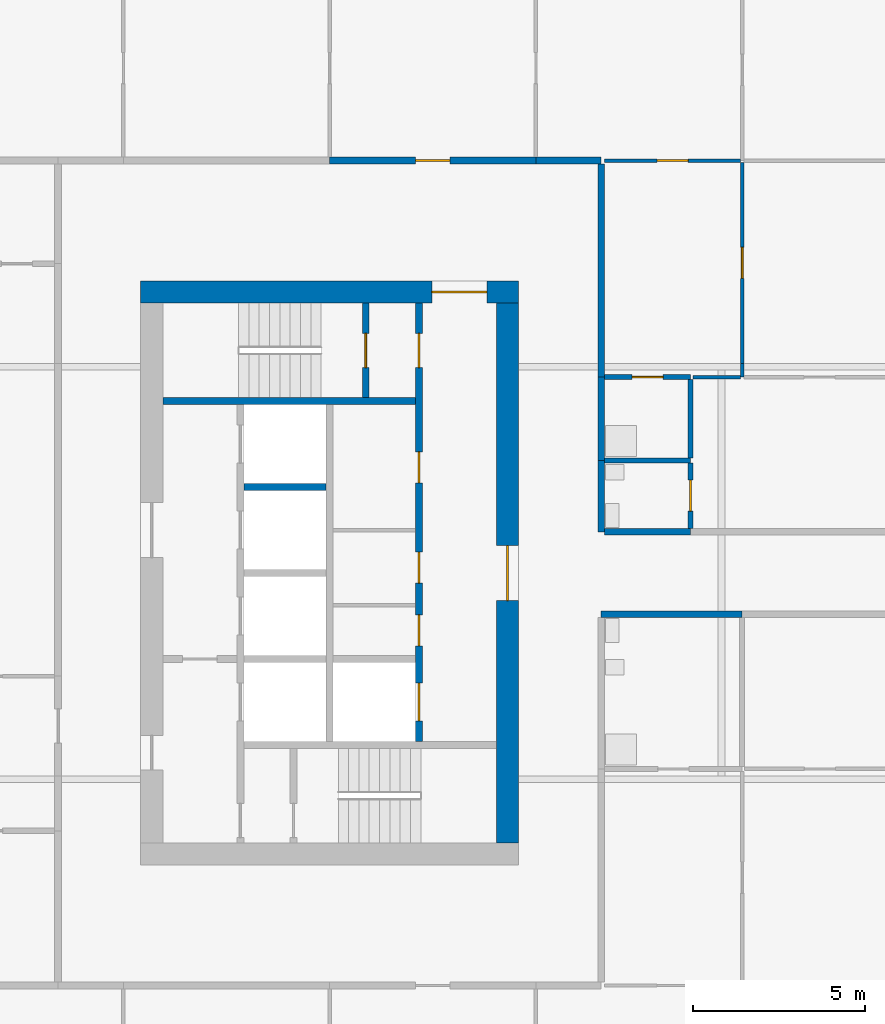
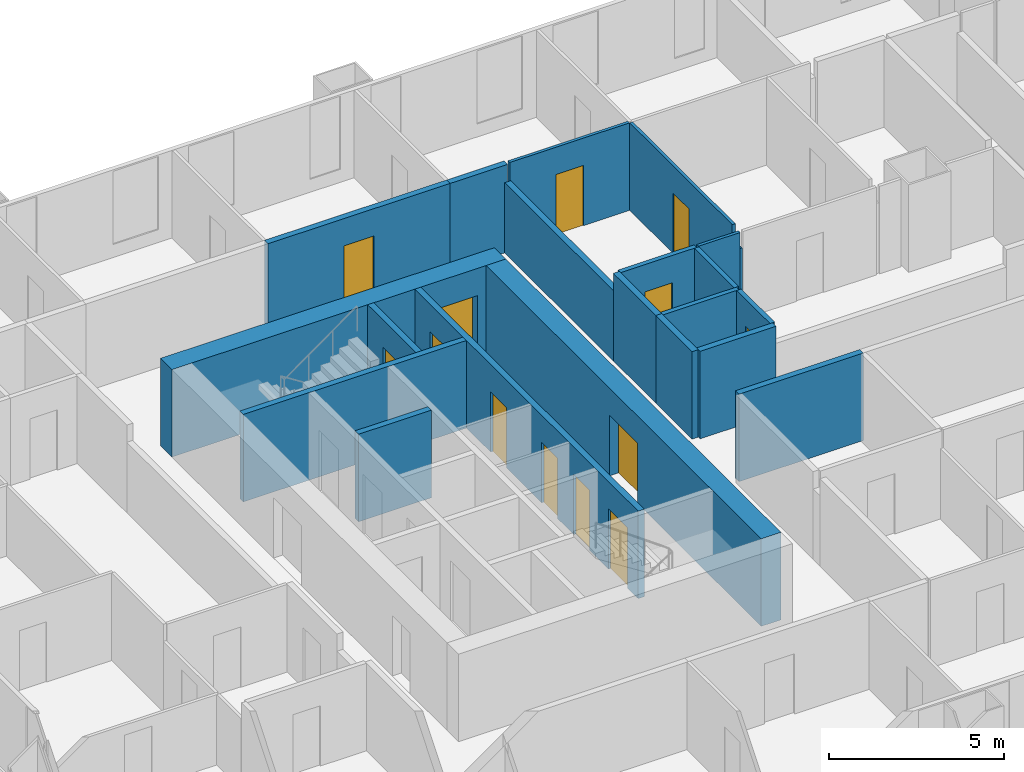
# One storey, part 4 of 12: 21 walls, 13 doors, 13 openings.
"""IFC4 building model written with IfcOpenShell, lengths in metres."""

import ifcopenshell
import ifcopenshell.guid

model = None  # the IFC model being written
_history = None  # IfcOwnerHistory: only IFC2X3 demands one
_inside = {}  # id of a spatial element -> (the spatial element, [elements in it])
_under = {}  # id of a project, library or spatial element -> (it, [spatial elements below it])
_declared = {}  # id of a project -> (the project, [libraries it declares])
_typed = {}  # id of a type object -> (the type object, [elements of that type])
_made_of = {}  # id of a material, layer set ... -> (it, [elements and type objects made of it])


def new_model(schema):
    """Start an empty IFC model of exactly this schema.

    Asked for "IFC4X3", IfcOpenShell would pick the latest addendum, in which some entities
    have other attributes; the version numbers below select the first issue.
    IFC2X3 requires an IfcOwnerHistory on every rooted entity: one is made here for all.
    """
    global model, _history
    if schema == "IFC4X3":
        model = ifcopenshell.file(schema_version=(4, 3, 0, 0))
    else:
        model = ifcopenshell.file(schema=schema)
    _inside.clear()
    _under.clear()
    _declared.clear()
    _typed.clear()
    _made_of.clear()
    _history = None
    if model.schema == "IFC2X3":
        org = make("IfcOrganization", Name="unknown")
        user = make(
            "IfcPersonAndOrganization",
            ThePerson=make("IfcPerson", FamilyName="unknown"),
            TheOrganization=org,
        )
        app = make(
            "IfcApplication",
            ApplicationDeveloper=org,
            Version="unknown",
            ApplicationFullName="unknown",
            ApplicationIdentifier="unknown",
        )
        _history = make(
            "IfcOwnerHistory",
            OwningUser=user,
            OwningApplication=app,
            ChangeAction="ADDED",
            CreationDate=0,
        )
    return model


def make(cls, **values):
    """One entity of the class cls with the attributes given. An attribute that is None is left unset."""
    return model.create_entity(
        cls, **{name: value for name, value in values.items() if value is not None}
    )


def rooted(cls, **values):
    """An entity with a GlobalId (a new one), such as an element, a storey or a relation."""
    return make(cls, GlobalId=ifcopenshell.guid.new(), OwnerHistory=_history, **values)


def si_unit(unit_type, name, prefix=None):
    """IfcSIUnit, for example si_unit("LENGTHUNIT", "METRE", prefix="MILLI")."""
    return make("IfcSIUnit", UnitType=unit_type, Prefix=prefix, Name=name)


def assignment(units):
    """IfcUnitAssignment: the units of a project."""
    return None if units is None else make("IfcUnitAssignment", Units=units)


def point(xyz):
    """IfcCartesianPoint."""
    return None if xyz is None else make("IfcCartesianPoint", Coordinates=xyz)


def direction(xyz):
    """IfcDirection."""
    return None if xyz is None else make("IfcDirection", DirectionRatios=xyz)


def frame(location, z_axis=None, x_axis=None):
    """IfcAxis2Placement3D, a coordinate frame: its origin and axes. An axis left out is left unset."""
    return make(
        "IfcAxis2Placement3D",
        Location=point(location),
        Axis=direction(z_axis),
        RefDirection=direction(x_axis),
    )


def frame_2d(location, x_axis=None):
    """IfcAxis2Placement2D, a coordinate frame in the plane: its origin and x axis."""
    return make(
        "IfcAxis2Placement2D", Location=point(location), RefDirection=direction(x_axis)
    )


def origin():
    """The frame at (0, 0, 0) with its axes left unset."""
    return frame((0.0, 0.0, 0.0))


def place(relative_to, where):
    """IfcLocalPlacement: puts the frame where relative to a parent placement (None: the world)."""
    return make(
        "IfcLocalPlacement", PlacementRelTo=relative_to, RelativePlacement=where
    )


def context(
    kind, dimensions, precision=None, world=None, true_north=None, identifier=None
):
    """IfcGeometricRepresentationContext, for example the 3D "Model" context."""
    return make(
        "IfcGeometricRepresentationContext",
        ContextIdentifier=identifier,
        ContextType=kind,
        CoordinateSpaceDimension=dimensions,
        Precision=precision,
        WorldCoordinateSystem=world,
        TrueNorth=true_north,
    )


def subcontext(parent, identifier, kind, view, scale=None):
    """IfcGeometricRepresentationSubContext, for example "Body" below "Model"."""
    return make(
        "IfcGeometricRepresentationSubContext",
        ContextIdentifier=identifier,
        ContextType=kind,
        ParentContext=parent,
        TargetScale=scale,
        TargetView=view,
    )


def project(units=None, contexts=None):
    """IfcProject with its units and contexts."""
    return rooted(
        "IfcProject",
        Name="project",
        RepresentationContexts=contexts,
        UnitsInContext=assignment(units),
    )


def spatial(cls, under=None, at=None, **own):
    """A site, building, storey or space (cls), placed at a placement, below another one or the project."""
    s = rooted(cls, ObjectPlacement=at, **own)
    if under is not None:
        _under.setdefault(under.id(), (under, []))[1].append(s)
    return s


def profile(cls, at=None, kind="AREA", **sizes):
    """A parametric profile (cls). Its sizes go by their IFC names, for example OverallWidth=200.0."""
    return make(cls, ProfileType=kind, Position=at, **sizes)


def rectangle(**sizes):
    """IfcRectangleProfileDef."""
    return profile("IfcRectangleProfileDef", **sizes)


def extrude(swept, where, along, depth):
    """IfcExtrudedAreaSolid: the profile swept, set in the frame where, extruded along a direction by depth."""
    return make(
        "IfcExtrudedAreaSolid",
        SweptArea=swept,
        Position=where,
        ExtrudedDirection=direction(along),
        Depth=depth,
    )


def shape(context_of_items, identifier, shape_type, items):
    """IfcShapeRepresentation: the items that make up one representation, for example the "Body"."""
    return make(
        "IfcShapeRepresentation",
        ContextOfItems=context_of_items,
        RepresentationIdentifier=identifier,
        RepresentationType=shape_type,
        Items=items,
    )


def material(Name=None, Category=None):
    """IfcMaterial."""
    return make("IfcMaterial", Name=Name, Category=Category)


def layer(
    of_material, thickness, ventilated=None, Name=None, Category=None, Priority=None
):
    """IfcMaterialLayer: one layer of a wall or slab, of a material (None: an air gap)."""
    return make(
        "IfcMaterialLayer",
        Material=of_material,
        LayerThickness=thickness,
        IsVentilated=ventilated,
        Name=Name,
        Category=Category,
        Priority=Priority,
    )


def layer_set(layers, Name=None):
    """IfcMaterialLayerSet."""
    return make("IfcMaterialLayerSet", MaterialLayers=layers, LayerSetName=Name)


def made_of(thing, what):
    """Note that an element or type object is made of a material, layer set ...; save() writes the relation."""
    if what is not None:
        _made_of.setdefault(what.id(), (what, []))[1].append(thing)
    return thing


def type_object(cls, material=None, **own):
    """A type object (cls), such as IfcWallType, which elements share."""
    return made_of(rooted(cls, **own), material)


def element(
    cls,
    number,
    at=None,
    inside=None,
    cuts=None,
    type_object=None,
    material=None,
    context=None,
    identifier="Body",
    shape_type=None,
    held_by="IfcProductDefinitionShape",
    body=None,
    shapes=None,
    **own,
):
    """One element of the class cls, such as IfcWall. Its Tag is "e" and its number.

    at: its placement. inside: the storey or other place that contains it. cuts: it is an
    opening in that element (IfcRelVoidsElement). A single representation is given by context,
    identifier, shape_type and body (its items); several are given by shapes. held_by: the class
    of the entity that holds the representations. save() writes the other relations.
    """
    e = rooted(cls, Tag="e%d" % number, ObjectPlacement=at, **own)
    if body is not None:
        shapes = [shape(context, identifier, shape_type, body)]
    if shapes is not None:
        e.Representation = make(held_by, Representations=shapes)
    if inside is not None:
        _inside.setdefault(inside.id(), (inside, []))[1].append(e)
    if cuts is not None:
        rooted(
            "IfcRelVoidsElement", RelatingBuildingElement=cuts, RelatedOpeningElement=e
        )
    if type_object is not None:
        _typed.setdefault(type_object.id(), (type_object, []))[1].append(e)
    return made_of(e, material)


def fill(opening, filler):
    """IfcRelFillsElement: the door or window that sits in an opening."""
    return rooted(
        "IfcRelFillsElement",
        RelatingOpeningElement=opening,
        RelatedBuildingElement=filler,
    )


def aggregate(whole, parts):
    """IfcRelAggregates: a whole, such as a stair, and the parts it consists of."""
    return rooted("IfcRelAggregates", RelatingObject=whole, RelatedObjects=parts)


def save(model, path):
    """Write the relations noted so far, then the file.

    IfcRelAggregates (storeys below a building ...), IfcRelContainedInSpatialStructure (elements
    in a storey), IfcRelDefinesByType, IfcRelAssociatesMaterial and IfcRelDeclares: one each for
    every whole, place, type object, material and project.
    """
    for whole, parts in _under.values():
        aggregate(whole, parts)
    for where, things in _inside.values():
        rooted(
            "IfcRelContainedInSpatialStructure",
            RelatedElements=things,
            RelatingStructure=where,
        )
    for kind, things in _typed.values():
        rooted("IfcRelDefinesByType", RelatedObjects=things, RelatingType=kind)
    for what, things in _made_of.values():
        rooted("IfcRelAssociatesMaterial", RelatedObjects=things, RelatingMaterial=what)
    for by, libraries in _declared.values():
        rooted("IfcRelDeclares", RelatingContext=by, RelatedDefinitions=libraries)
    model.write(path)


model = new_model("IFC4")

# Units and contexts
model_context = context("Model", 3, precision=1e-05, world=origin(), true_north=direction((0.0, 1.0)))
body_context = subcontext(model_context, "Body", "Model", "MODEL_VIEW")
ifc_project = project(units=[si_unit("LENGTHUNIT", "METRE"), si_unit("AREAUNIT", "SQUARE_METRE"), si_unit("VOLUMEUNIT", "CUBIC_METRE"), si_unit("PLANEANGLEUNIT", "RADIAN"), si_unit("MASSUNIT", "GRAM", prefix="KILO")], contexts=[model_context])

# Site, building, storey
site_placement = place(None, origin())
site = spatial("IfcSite", under=ifc_project, at=site_placement, CompositionType="ELEMENT")
building_placement = place(site_placement, origin())
building = spatial("IfcBuilding", under=site, at=building_placement, Name="Kitamizu Gate Tower and Museum", CompositionType="ELEMENT")
storey_placement = place(building_placement, frame((0.0, 0.0, 134.550048828125)))
storey = spatial("IfcBuildingStorey", under=building, at=storey_placement, Name="L35", CompositionType="ELEMENT", Elevation=134.550048828125)

# Wall, opening, door
ifc_material_1 = material(Name="Concrete Fc60", Category="concrete")
ifc_layer_1 = layer(ifc_material_1, 0.64990234375)
ifc_layer_set_1 = layer_set([ifc_layer_1], Name="Concrete Fc60")
wall_type_1 = type_object("IfcWallType", Name="Core wall 650", PredefinedType="SHEAR", material=ifc_layer_set_1)
wall_1_placement = place(storey_placement, frame((12.5, 38.175048828125, 0.0), z_axis=(0.0, 0.0, 1.0), x_axis=(1.0, 0.0, 0.0)))
wall_1 = element("IfcWall", 1, at=wall_1_placement, inside=storey, type_object=wall_type_1, Name="Core wall WN", PredefinedType="SHEAR", context=body_context, shape_type="SweptSolid", body=[
    extrude(rectangle(XDim=11.0, YDim=0.64990234375, at=frame_2d((5.5, 0.0))), origin(), (0.0, 0.0, 1.0), 3.050048828125),
])
opening_1_placement = place(wall_1_placement, frame((8.47509765625, 0.0, 0.0)))
opening_1 = element("IfcOpeningElement", 2, at=opening_1_placement, cuts=wall_1, Name="Opening L35-059", PredefinedType="OPENING", context=body_context, shape_type="SweptSolid", body=[
    extrude(rectangle(XDim=1.60009765625, YDim=2.10009765625, at=frame_2d((0.800048828125, 1.050048828125))), frame((0.0, 0.3349609375, 0.0), z_axis=(0.0, -1.0, 0.0), x_axis=(1.0, 0.0, 0.0)), (0.0, 0.0, 1.0), 0.669921875),
])
ifc_material_2 = material(Name="Timber door set", Category="wood")
door_type_1 = type_object("IfcDoorType", Name="Entrance door 1600", OperationType="DOUBLE_DOOR_SINGLE_SWING", PredefinedType="DOOR", material=ifc_material_2)
door_1_placement = place(opening_1_placement, origin())
door_1 = element("IfcDoor", 3, at=door_1_placement, inside=storey, type_object=door_type_1, Name="Lobby door L35-059", OperationType="DOUBLE_DOOR_SINGLE_SWING", OverallHeight=2.10009765625, OverallWidth=1.60009765625, PredefinedType="DOOR", context=body_context, shape_type="SweptSolid", body=[
    extrude(rectangle(XDim=1.60009765625, YDim=2.10009765625, at=frame_2d((0.800048828125, 1.050048828125))), frame((0.0, 0.02490234375, 0.0), z_axis=(0.0, -1.0, 0.0), x_axis=(1.0, 0.0, 0.0)), (0.0, 0.0, 1.0), 0.050048828125),
])
fill(opening_1, door_1)

wall_2_placement = place(storey_placement, frame((23.175048828125, 22.14990234375, 0.0), z_axis=(0.0, 0.0, 1.0), x_axis=(0.0, 1.0, 0.0)))
wall_2 = element("IfcWall", 4, at=wall_2_placement, inside=storey, type_object=wall_type_1, Name="Core wall WARC", PredefinedType="SHEAR", context=body_context, shape_type="SweptSolid", body=[
    extrude(rectangle(XDim=15.7001953125, YDim=0.64990234375, at=frame_2d((7.85009765625, 0.0))), origin(), (0.0, 0.0, 1.0), 3.050048828125),
])
opening_2_placement = place(wall_2_placement, frame((7.050048828125, 0.0, 0.0)))
opening_2 = element("IfcOpeningElement", 5, at=opening_2_placement, cuts=wall_2, Name="Opening L35-060", PredefinedType="OPENING", context=body_context, shape_type="SweptSolid", body=[
    extrude(rectangle(XDim=1.60009765625, YDim=2.10009765625, at=frame_2d((0.800048828125, 1.050048828125))), frame((0.0, 0.3349609375, 0.0), z_axis=(0.0, -1.0, 0.0), x_axis=(1.0, 0.0, 0.0)), (0.0, 0.0, 1.0), 0.669921875),
])
door_2_placement = place(opening_2_placement, origin())
door_2 = element("IfcDoor", 6, at=door_2_placement, inside=storey, type_object=door_type_1, Name="Lobby door L35-060", OperationType="DOUBLE_DOOR_SINGLE_SWING", OverallHeight=2.10009765625, OverallWidth=1.60009765625, PredefinedType="DOOR", context=body_context, shape_type="SweptSolid", body=[
    extrude(rectangle(XDim=1.60009765625, YDim=2.10009765625, at=frame_2d((0.800048828125, 1.050048828125))), frame((0.0, 0.02490234375, 0.0), z_axis=(0.0, -1.0, 0.0), x_axis=(1.0, 0.0, 0.0)), (0.0, 0.0, 1.0), 0.050048828125),
])
fill(opening_2, door_2)

ifc_material_3 = material(Name="Gypsum board on galvanised stud")
ifc_layer_2 = layer(ifc_material_3, 0.10009765625)
ifc_layer_set_2 = layer_set([ifc_layer_2], Name="Gypsum board on galvanised stud")
wall_type_2 = type_object("IfcWallType", Name="Partition 100 NOT RATED", PredefinedType="PARTITIONING", material=ifc_layer_set_2)
wall_3_placement = place(storey_placement, frame((26.0, 42.0, 0.0), z_axis=(0.0, 0.0, 1.0), x_axis=(1.0, 0.0, 0.0)))
wall_3 = element("IfcWall", 7, at=wall_3_placement, inside=storey, type_object=wall_type_2, Name="Partition L35-058", PredefinedType="PARTITIONING", context=body_context, shape_type="SweptSolid", body=[
    extrude(rectangle(XDim=3.949951171875, YDim=0.10009765625, at=frame_2d((1.97509765625, 0.0))), origin(), (0.0, 0.0, 1.0), 3.050048828125),
])
opening_3_placement = place(wall_3_placement, frame((1.52490234375, 0.0, 0.0)))
opening_3 = element("IfcOpeningElement", 8, at=opening_3_placement, cuts=wall_3, Name="Opening L35-023", PredefinedType="OPENING", context=body_context, shape_type="SweptSolid", body=[
    extrude(rectangle(XDim=0.89990234375, YDim=2.10009765625, at=frame_2d((0.449951171875, 1.050048828125))), frame((0.0, 0.06005859375, 0.0), z_axis=(0.0, -1.0, 0.0), x_axis=(1.0, 0.0, 0.0)), (0.0, 0.0, 1.0), 0.1201171875),
])
ifc_material_4 = material(Name="Timber door set", Category="wood")
door_type_2 = type_object("IfcDoorType", Name="Room door 900", OperationType="NOTDEFINED", PredefinedType="DOOR", material=ifc_material_4)
door_3_placement = place(opening_3_placement, frame((0.89990234375, 0.0, 0.0), x_axis=(-1.0, 0.0, 0.0)))
door_3 = element("IfcDoor", 9, at=door_3_placement, inside=storey, type_object=door_type_2, Name="Door L35-023", OperationType="SINGLE_SWING_LEFT", OverallHeight=2.10009765625, OverallWidth=0.89990234375, PredefinedType="DOOR", context=body_context, shape_type="SweptSolid", body=[
    extrude(rectangle(XDim=0.89990234375, YDim=2.10009765625, at=frame_2d((0.449951171875, 1.050048828125))), frame((0.0, 0.02490234375, 0.0), z_axis=(0.0, -1.0, 0.0), x_axis=(1.0, 0.0, 0.0)), (0.0, 0.0, 1.0), 0.050048828125),
])
fill(opening_3, door_3)

# Wall
wall_4_placement = place(storey_placement, frame((30.0, 35.699951171875, 0.0), z_axis=(0.0, 0.0, 1.0), x_axis=(0.0, 1.0, 0.0)))
element("IfcWall", 10, at=wall_4_placement, inside=storey, type_object=wall_type_2, Name="Partition L35-063", PredefinedType="PARTITIONING", context=body_context, shape_type="SweptSolid", body=[
    extrude(rectangle(XDim=0.400146484375, YDim=0.10009765625, at=frame_2d((0.2001953125, 0.0))), origin(), (0.0, 0.0, 1.0), 2.449951171875),
])

# Wall, opening, door
wall_5_placement = place(storey_placement, frame((30.0, 36.10009765625, 0.0), z_axis=(0.0, 0.0, 1.0), x_axis=(0.0, 1.0, 0.0)))
wall_5 = element("IfcWall", 11, at=wall_5_placement, inside=storey, type_object=wall_type_2, Name="Partition L35-064", PredefinedType="PARTITIONING", context=body_context, shape_type="SweptSolid", body=[
    extrude(rectangle(XDim=5.849853515625, YDim=0.10009765625, at=frame_2d((2.9248046875, 0.0))), origin(), (0.0, 0.0, 1.0), 3.050048828125),
])
opening_4_placement = place(wall_5_placement, frame((2.47509765625, 0.0, 0.0)))
opening_4 = element("IfcOpeningElement", 12, at=opening_4_placement, cuts=wall_5, Name="Opening L35-024", PredefinedType="OPENING", context=body_context, shape_type="SweptSolid", body=[
    extrude(rectangle(XDim=0.89990234375, YDim=2.10009765625, at=frame_2d((0.449951171875, 1.050048828125))), frame((0.0, 0.06005859375, 0.0), z_axis=(0.0, -1.0, 0.0), x_axis=(1.0, 0.0, 0.0)), (0.0, 0.0, 1.0), 0.1201171875),
])
door_4_placement = place(opening_4_placement, origin())
door_4 = element("IfcDoor", 13, at=door_4_placement, inside=storey, type_object=door_type_2, Name="Door L35-024", OperationType="SINGLE_SWING_LEFT", OverallHeight=2.10009765625, OverallWidth=0.89990234375, PredefinedType="DOOR", context=body_context, shape_type="SweptSolid", body=[
    extrude(rectangle(XDim=0.89990234375, YDim=2.10009765625, at=frame_2d((0.449951171875, 1.050048828125))), frame((0.0, 0.02490234375, 0.0), z_axis=(0.0, -1.0, 0.0), x_axis=(1.0, 0.0, 0.0)), (0.0, 0.0, 1.0), 0.050048828125),
])
fill(opening_4, door_4)

# Wall
wall_6_placement = place(storey_placement, frame((28.574951171875, 35.699951171875, 0.0), z_axis=(0.0, 0.0, 1.0), x_axis=(1.0, 0.0, 0.0)))
element("IfcWall", 14, at=wall_6_placement, inside=storey, type_object=wall_type_2, Name="Partition L35-066", PredefinedType="PARTITIONING", context=body_context, shape_type="SweptSolid", body=[
    extrude(rectangle(XDim=1.375, YDim=0.10009765625, at=frame_2d((0.6875, 0.0))), origin(), (0.0, 0.0, 1.0), 3.050048828125),
])

# Wall, opening, door
ifc_material_5 = material(Name="Gypsum board on galvanised stud")
ifc_layer_3 = layer(ifc_material_5, 0.14990234375)
ifc_layer_set_3 = layer_set([ifc_layer_3], Name="Gypsum board on galvanised stud")
wall_type_3 = type_object("IfcWallType", Name="Partition 150", PredefinedType="PARTITIONING", material=ifc_layer_set_3)
wall_7_placement = place(storey_placement, frame((26.0, 35.699951171875, 0.0), z_axis=(0.0, 0.0, 1.0), x_axis=(1.0, 0.0, 0.0)))
wall_7 = element("IfcWall", 15, at=wall_7_placement, inside=storey, type_object=wall_type_3, Name="Partition L35-065", PredefinedType="PARTITIONING", context=body_context, shape_type="SweptSolid", body=[
    extrude(rectangle(XDim=2.5, YDim=0.14990234375, at=frame_2d((1.25, 0.0))), origin(), (0.0, 0.0, 1.0), 3.050048828125),
])
opening_5_placement = place(wall_7_placement, frame((0.800048828125, 0.0, 0.0)))
opening_5 = element("IfcOpeningElement", 16, at=opening_5_placement, cuts=wall_7, Name="Opening L35-026", PredefinedType="OPENING", context=body_context, shape_type="SweptSolid", body=[
    extrude(rectangle(XDim=0.89990234375, YDim=2.10009765625, at=frame_2d((0.449951171875, 1.050048828125))), frame((0.0, 0.0849609375, 0.0), z_axis=(0.0, -1.0, 0.0), x_axis=(1.0, 0.0, 0.0)), (0.0, 0.0, 1.0), 0.169921875),
])
ifc_material_6 = material(Name="Timber door set", Category="wood")
door_type_3 = type_object("IfcDoorType", Name="Bathroom door 900", OperationType="NOTDEFINED", PredefinedType="DOOR", material=ifc_material_6)
door_5_placement = place(opening_5_placement, frame((0.89990234375, 0.0, 0.0), x_axis=(-1.0, 0.0, 0.0)))
door_5 = element("IfcDoor", 17, at=door_5_placement, inside=storey, type_object=door_type_3, Name="Bathroom door L35-026", OperationType="SINGLE_SWING_RIGHT", OverallHeight=2.10009765625, OverallWidth=0.89990234375, PredefinedType="DOOR", context=body_context, shape_type="SweptSolid", body=[
    extrude(rectangle(XDim=0.89990234375, YDim=2.10009765625, at=frame_2d((0.449951171875, 1.050048828125))), frame((0.0, 0.02490234375, 0.0), z_axis=(0.0, -1.0, 0.0), x_axis=(1.0, 0.0, 0.0)), (0.0, 0.0, 1.0), 0.050048828125),
])
fill(opening_5, door_5)

# Wall
wall_8_placement = place(storey_placement, frame((28.5, 33.277099609375, 0.0), z_axis=(0.0, 0.0, 1.0), x_axis=(-1.0, 0.0, 0.0)))
element("IfcWall", 18, at=wall_8_placement, inside=storey, type_object=wall_type_3, Name="Partition L35-076", PredefinedType="PARTITIONING", context=body_context, shape_type="SweptSolid", body=[
    extrude(rectangle(XDim=2.5, YDim=0.14990234375, at=frame_2d((1.25, 0.0))), origin(), (0.0, 0.0, 1.0), 3.050048828125),
])

# Wall, opening, door
wall_9_placement = place(storey_placement, frame((28.5, 31.300048828125, 0.0), z_axis=(0.0, 0.0, 1.0), x_axis=(0.0, 1.0, 0.0)))
wall_9 = element("IfcWall", 19, at=wall_9_placement, inside=storey, type_object=wall_type_3, Name="Partition L35-077", PredefinedType="PARTITIONING", context=body_context, shape_type="SweptSolid", body=[
    extrude(rectangle(XDim=1.90185546875, YDim=0.14990234375, at=frame_2d((0.950927734375, 0.0))), origin(), (0.0, 0.0, 1.0), 3.050048828125),
])
opening_6_placement = place(wall_9_placement, frame((0.5009765625, 0.0, 0.0)))
opening_6 = element("IfcOpeningElement", 20, at=opening_6_placement, cuts=wall_9, Name="Opening L35-028", PredefinedType="OPENING", context=body_context, shape_type="SweptSolid", body=[
    extrude(rectangle(XDim=0.89990234375, YDim=2.10009765625, at=frame_2d((0.449951171875, 1.050048828125))), frame((0.0, 0.0849609375, 0.0), z_axis=(0.0, -1.0, 0.0), x_axis=(1.0, 0.0, 0.0)), (0.0, 0.0, 1.0), 0.169921875),
])
door_6_placement = place(opening_6_placement, origin())
door_6 = element("IfcDoor", 21, at=door_6_placement, inside=storey, type_object=door_type_3, Name="Bathroom door L35-028", OperationType="SINGLE_SWING_LEFT", OverallHeight=2.10009765625, OverallWidth=0.89990234375, PredefinedType="DOOR", context=body_context, shape_type="SweptSolid", body=[
    extrude(rectangle(XDim=0.89990234375, YDim=2.10009765625, at=frame_2d((0.449951171875, 1.050048828125))), frame((0.0, 0.02490234375, 0.0), z_axis=(0.0, -1.0, 0.0), x_axis=(1.0, 0.0, 0.0)), (0.0, 0.0, 1.0), 0.050048828125),
])
fill(opening_6, door_6)

# Walls
wall_10_placement = place(storey_placement, frame((28.5, 33.35205078125, 0.0), z_axis=(0.0, 0.0, 1.0), x_axis=(0.0, 1.0, 0.0)))
element("IfcWall", 22, at=wall_10_placement, inside=storey, type_object=wall_type_3, Name="Partition L35-080", PredefinedType="PARTITIONING", context=body_context, shape_type="SweptSolid", body=[
    extrude(rectangle(XDim=2.27294921875, YDim=0.14990234375, at=frame_2d((1.136474609375, 0.0))), origin(), (0.0, 0.0, 1.0), 3.050048828125),
])
ifc_material_7 = material(Name="Gypsum board on galvanised stud")
ifc_layer_4 = layer(ifc_material_7, 0.199951171875)
ifc_layer_set_4 = layer_set([ifc_layer_4], Name="Gypsum board on galvanised stud")
wall_type_4 = type_object("IfcWallType", Name="Partition 200", PredefinedType="PARTITIONING", material=ifc_layer_set_4)
wall_11_placement = place(storey_placement, frame((30.0, 28.800048828125, 0.0), z_axis=(0.0, 0.0, 1.0), x_axis=(-1.0, 0.0, 0.0)))
element("IfcWall", 23, at=wall_11_placement, inside=storey, type_object=wall_type_4, Name="Partition L35-025", PredefinedType="PARTITIONING", context=body_context, shape_type="SweptSolid", body=[
    extrude(rectangle(XDim=4.10009765625, YDim=0.199951171875, at=frame_2d((2.050048828125, 0.0))), origin(), (0.0, 0.0, 1.0), 3.050048828125),
])

# Wall, opening, door
wall_12_placement = place(storey_placement, frame((18.0, 42.0, 0.0), z_axis=(0.0, 0.0, 1.0), x_axis=(1.0, 0.0, 0.0)))
wall_12 = element("IfcWall", 24, at=wall_12_placement, inside=storey, type_object=wall_type_4, Name="Partition L35-056", PredefinedType="PARTITIONING", context=body_context, shape_type="SweptSolid", body=[
    extrude(rectangle(XDim=6.0, YDim=0.199951171875, at=frame_2d((3.0, 0.0))), origin(), (0.0, 0.0, 1.0), 3.050048828125),
])
opening_7_placement = place(wall_12_placement, frame((2.5, 0.0, 0.0)))
opening_7 = element("IfcOpeningElement", 25, at=opening_7_placement, cuts=wall_12, Name="Opening L35-018", PredefinedType="OPENING", context=body_context, shape_type="SweptSolid", body=[
    extrude(rectangle(XDim=1.0, YDim=2.10009765625, at=frame_2d((0.5, 1.050048828125))), frame((0.0, 0.10986328125, 0.0), z_axis=(0.0, -1.0, 0.0), x_axis=(1.0, 0.0, 0.0)), (0.0, 0.0, 1.0), 0.219970703125),
])
ifc_material_8 = material(Name="Timber door set", Category="wood")
door_type_4 = type_object("IfcDoorType", Name="Flat entrance door 1000", OperationType="NOTDEFINED", PredefinedType="DOOR", material=ifc_material_8)
door_7_placement = place(opening_7_placement, origin())
door_7 = element("IfcDoor", 26, at=door_7_placement, inside=storey, type_object=door_type_4, Name="Flat entrance door L35-018", OperationType="SINGLE_SWING_LEFT", OverallHeight=2.10009765625, OverallWidth=1.0, PredefinedType="DOOR", context=body_context, shape_type="SweptSolid", body=[
    extrude(rectangle(XDim=1.0, YDim=2.10009765625, at=frame_2d((0.5, 1.050048828125))), frame((0.0, 0.02490234375, 0.0), z_axis=(0.0, -1.0, 0.0), x_axis=(1.0, 0.0, 0.0)), (0.0, 0.0, 1.0), 0.050048828125),
])
fill(opening_7, door_7)

# Walls
wall_13_placement = place(storey_placement, frame((24.0, 42.0, 0.0), z_axis=(0.0, 0.0, 1.0), x_axis=(1.0, 0.0, 0.0)))
element("IfcWall", 27, at=wall_13_placement, inside=storey, type_object=wall_type_4, Name="Partition L35-059", PredefinedType="PARTITIONING", context=body_context, shape_type="SweptSolid", body=[
    extrude(rectangle(XDim=1.89990234375, YDim=0.199951171875, at=frame_2d((0.949951171875, 0.0))), origin(), (0.0, 0.0, 1.0), 3.050048828125),
])
wall_14_placement = place(storey_placement, frame((25.89990234375, 41.89990234375, 0.0), z_axis=(0.0, 0.0, 1.0), x_axis=(0.0, -1.0, 0.0)))
element("IfcWall", 28, at=wall_14_placement, inside=storey, type_object=wall_type_4, Name="Partition L35-067", PredefinedType="PARTITIONING", context=body_context, shape_type="SweptSolid", body=[
    extrude(rectangle(XDim=6.199951171875, YDim=0.199951171875, at=frame_2d((3.10009765625, 0.0))), origin(), (0.0, 0.0, 1.0), 2.449951171875),
])
wall_15_placement = place(storey_placement, frame((25.89990234375, 33.277099609375, 0.0), z_axis=(0.0, 0.0, 1.0), x_axis=(0.0, -1.0, 0.0)))
element("IfcWall", 29, at=wall_15_placement, inside=storey, type_object=wall_type_4, Name="Partition L35-078", PredefinedType="PARTITIONING", context=body_context, shape_type="SweptSolid", body=[
    extrude(rectangle(XDim=2.0771484375, YDim=0.199951171875, at=frame_2d((1.03857421875, 0.0))), origin(), (0.0, 0.0, 1.0), 3.050048828125),
])
wall_16_placement = place(storey_placement, frame((26.0, 31.199951171875, 0.0), z_axis=(0.0, 0.0, 1.0), x_axis=(1.0, 0.0, 0.0)))
element("IfcWall", 30, at=wall_16_placement, inside=storey, type_object=wall_type_4, Name="Partition L35-079", PredefinedType="PARTITIONING", context=body_context, shape_type="SweptSolid", body=[
    extrude(rectangle(XDim=2.5, YDim=0.199951171875, at=frame_2d((1.25, 0.0))), origin(), (0.0, 0.0, 1.0), 3.050048828125),
])
wall_17_placement = place(storey_placement, frame((25.89990234375, 35.699951171875, 0.0), z_axis=(0.0, 0.0, 1.0), x_axis=(0.0, -1.0, 0.0)))
element("IfcWall", 31, at=wall_17_placement, inside=storey, type_object=wall_type_4, Name="Partition L35-081", PredefinedType="PARTITIONING", context=body_context, shape_type="SweptSolid", body=[
    extrude(rectangle(XDim=2.4228515625, YDim=0.199951171875, at=frame_2d((1.21142578125, 0.0))), origin(), (0.0, 0.0, 1.0), 3.050048828125),
])

# Wall, openings, doors
ifc_material_9 = material(Name="Concrete Fc42", Category="concrete")
ifc_layer_5 = layer(ifc_material_9, 0.199951171875)
ifc_layer_set_5 = layer_set([ifc_layer_5], Name="Concrete Fc42")
wall_type_5 = type_object("IfcWallType", Name="Shaft wall 200", PredefinedType="SOLIDWALL", material=ifc_layer_set_5)
wall_18_placement = place(storey_placement, frame((20.60009765625, 25.10009765625, 0.0), z_axis=(0.0, 0.0, 1.0), x_axis=(0.0, 1.0, 0.0)))
wall_18 = element("IfcWall", 32, at=wall_18_placement, inside=storey, type_object=wall_type_5, Name="Shaft wall WEAST", PredefinedType="SOLIDWALL", context=body_context, shape_type="SweptSolid", body=[
    extrude(rectangle(XDim=12.75, YDim=0.199951171875, at=frame_2d((6.375, 0.0))), origin(), (0.0, 0.0, 1.0), 3.050048828125),
])
opening_8_placement = place(wall_18_placement, frame((0.60009765625, 0.0, 0.0)))
opening_8 = element("IfcOpeningElement", 33, at=opening_8_placement, cuts=wall_18, Name="Opening LD", PredefinedType="OPENING", context=body_context, shape_type="SweptSolid", body=[
    extrude(rectangle(XDim=1.10009765625, YDim=2.10009765625, at=frame_2d((0.550048828125, 1.050048828125))), frame((0.0, 0.10986328125, 0.0), z_axis=(0.0, -1.0, 0.0), x_axis=(1.0, 0.0, 0.0)), (0.0, 0.0, 1.0), 0.219970703125),
])
opening_9_placement = place(wall_18_placement, frame((10.875, 0.0, 0.0)))
opening_9 = element("IfcOpeningElement", 34, at=opening_9_placement, cuts=wall_18, Name="Opening L35-054", PredefinedType="OPENING", context=body_context, shape_type="SweptSolid", body=[
    extrude(rectangle(XDim=1.0, YDim=2.10009765625, at=frame_2d((0.5, 1.050048828125))), frame((0.0, 0.10986328125, 0.0), z_axis=(0.0, -1.0, 0.0), x_axis=(1.0, 0.0, 0.0)), (0.0, 0.0, 1.0), 0.219970703125),
])
opening_10_placement = place(wall_18_placement, frame((2.780029296875, 0.0, 0.0)))
opening_10 = element("IfcOpeningElement", 35, at=opening_10_placement, cuts=wall_18, Name="Opening L35-061", PredefinedType="OPENING", context=body_context, shape_type="SweptSolid", body=[
    extrude(rectangle(XDim=0.89990234375, YDim=2.10009765625, at=frame_2d((0.449951171875, 1.050048828125))), frame((0.0, 0.10986328125, 0.0), z_axis=(0.0, -1.0, 0.0), x_axis=(1.0, 0.0, 0.0)), (0.0, 0.0, 1.0), 0.219970703125),
])
opening_11_placement = place(wall_18_placement, frame((4.60498046875, 0.0, 0.0)))
opening_11 = element("IfcOpeningElement", 36, at=opening_11_placement, cuts=wall_18, Name="Opening L35-062", PredefinedType="OPENING", context=body_context, shape_type="SweptSolid", body=[
    extrude(rectangle(XDim=0.89990234375, YDim=2.10009765625, at=frame_2d((0.449951171875, 1.050048828125))), frame((0.0, 0.10986328125, 0.0), z_axis=(0.0, -1.0, 0.0), x_axis=(1.0, 0.0, 0.0)), (0.0, 0.0, 1.0), 0.219970703125),
])
opening_12_placement = place(wall_18_placement, frame((7.52490234375, 0.0, 0.0)))
opening_12 = element("IfcOpeningElement", 37, at=opening_12_placement, cuts=wall_18, Name="Opening L35-063", PredefinedType="OPENING", context=body_context, shape_type="SweptSolid", body=[
    extrude(rectangle(XDim=0.89990234375, YDim=2.10009765625, at=frame_2d((0.449951171875, 1.050048828125))), frame((0.0, 0.10986328125, 0.0), z_axis=(0.0, -1.0, 0.0), x_axis=(1.0, 0.0, 0.0)), (0.0, 0.0, 1.0), 0.219970703125),
])
ifc_material_10 = material(Name="Hollow metal door set")
door_type_5 = type_object("IfcDoorType", Name="Fire door 1000", OperationType="NOTDEFINED", PredefinedType="DOOR", material=ifc_material_10)
door_8_placement = place(opening_9_placement, origin())
door_8 = element("IfcDoor", 38, at=door_8_placement, inside=storey, type_object=door_type_5, Name="Stair lobby door L35-054", OperationType="SINGLE_SWING_RIGHT", OverallHeight=2.10009765625, OverallWidth=1.0, PredefinedType="DOOR", context=body_context, shape_type="SweptSolid", body=[
    extrude(rectangle(XDim=1.0, YDim=2.10009765625, at=frame_2d((0.5, 1.050048828125))), frame((0.0, 0.02490234375, 0.0), z_axis=(0.0, -1.0, 0.0), x_axis=(1.0, 0.0, 0.0)), (0.0, 0.0, 1.0), 0.050048828125),
])
fill(opening_9, door_8)
ifc_material_11 = material(Name="Hollow metal door set")
door_type_6 = type_object("IfcDoorType", Name="Landing door 1100", OperationType="SLIDING_TO_LEFT", PredefinedType="DOOR", material=ifc_material_11)
door_9_placement = place(opening_8_placement, origin())
door_9 = element("IfcDoor", 39, at=door_9_placement, inside=storey, type_object=door_type_6, Name="Landing door WSV1", OperationType="SLIDING_TO_LEFT", OverallHeight=2.10009765625, OverallWidth=1.10009765625, PredefinedType="DOOR", context=body_context, shape_type="SweptSolid", body=[
    extrude(rectangle(XDim=1.10009765625, YDim=2.10009765625, at=frame_2d((0.550048828125, 1.050048828125))), frame((0.0, 0.02490234375, 0.0), z_axis=(0.0, -1.0, 0.0), x_axis=(1.0, 0.0, 0.0)), (0.0, 0.0, 1.0), 0.050048828125),
])
fill(opening_8, door_9)
ifc_material_12 = material(Name="Timber door set", Category="wood")
door_type_7 = type_object("IfcDoorType", Name="Service door 900", OperationType="NOTDEFINED", PredefinedType="DOOR", material=ifc_material_12)
door_10_placement = place(opening_10_placement, origin())
door_10 = element("IfcDoor", 40, at=door_10_placement, inside=storey, type_object=door_type_7, Name="Service door L35-061", OperationType="SINGLE_SWING_RIGHT", OverallHeight=2.10009765625, OverallWidth=0.89990234375, PredefinedType="DOOR", context=body_context, shape_type="SweptSolid", body=[
    extrude(rectangle(XDim=0.89990234375, YDim=2.10009765625, at=frame_2d((0.449951171875, 1.050048828125))), frame((0.0, 0.02490234375, 0.0), z_axis=(0.0, -1.0, 0.0), x_axis=(1.0, 0.0, 0.0)), (0.0, 0.0, 1.0), 0.050048828125),
])
fill(opening_10, door_10)
door_11_placement = place(opening_11_placement, origin())
door_11 = element("IfcDoor", 41, at=door_11_placement, inside=storey, type_object=door_type_7, Name="Service door L35-062", OperationType="SINGLE_SWING_LEFT", OverallHeight=2.10009765625, OverallWidth=0.89990234375, PredefinedType="DOOR", context=body_context, shape_type="SweptSolid", body=[
    extrude(rectangle(XDim=0.89990234375, YDim=2.10009765625, at=frame_2d((0.449951171875, 1.050048828125))), frame((0.0, 0.02490234375, 0.0), z_axis=(0.0, -1.0, 0.0), x_axis=(1.0, 0.0, 0.0)), (0.0, 0.0, 1.0), 0.050048828125),
])
fill(opening_11, door_11)
door_12_placement = place(opening_12_placement, origin())
door_12 = element("IfcDoor", 42, at=door_12_placement, inside=storey, type_object=door_type_7, Name="Service door L35-063", OperationType="SINGLE_SWING_RIGHT", OverallHeight=2.10009765625, OverallWidth=0.89990234375, PredefinedType="DOOR", context=body_context, shape_type="SweptSolid", body=[
    extrude(rectangle(XDim=0.89990234375, YDim=2.10009765625, at=frame_2d((0.449951171875, 1.050048828125))), frame((0.0, 0.02490234375, 0.0), z_axis=(0.0, -1.0, 0.0), x_axis=(1.0, 0.0, 0.0)), (0.0, 0.0, 1.0), 0.050048828125),
])
fill(opening_12, door_12)

# Wall
wall_19_placement = place(storey_placement, frame((13.14990234375, 35.0, 0.0), z_axis=(0.0, 0.0, 1.0), x_axis=(1.0, 0.0, 0.0)))
element("IfcWall", 43, at=wall_19_placement, inside=storey, type_object=wall_type_5, Name="Shaft wall WNB", PredefinedType="SOLIDWALL", context=body_context, shape_type="SweptSolid", body=[
    extrude(rectangle(XDim=7.35009765625, YDim=0.199951171875, at=frame_2d((3.675048828125, 0.0))), origin(), (0.0, 0.0, 1.0), 3.050048828125),
])

# Wall, opening, door
wall_20_placement = place(storey_placement, frame((19.050048828125, 35.10009765625, 0.0), z_axis=(0.0, 0.0, 1.0), x_axis=(0.0, 1.0, 0.0)))
wall_20 = element("IfcWall", 44, at=wall_20_placement, inside=storey, type_object=wall_type_5, Name="Shaft wall WNZ", PredefinedType="SOLIDWALL", context=body_context, shape_type="SweptSolid", body=[
    extrude(rectangle(XDim=2.75, YDim=0.199951171875, at=frame_2d((1.375, 0.0))), origin(), (0.0, 0.0, 1.0), 3.050048828125),
])
opening_13_placement = place(wall_20_placement, frame((0.875, 0.0, 0.0)))
opening_13 = element("IfcOpeningElement", 45, at=opening_13_placement, cuts=wall_20, Name="Opening L35-055", PredefinedType="OPENING", context=body_context, shape_type="SweptSolid", body=[
    extrude(rectangle(XDim=1.0, YDim=2.10009765625, at=frame_2d((0.5, 1.050048828125))), frame((0.0, 0.10986328125, 0.0), z_axis=(0.0, -1.0, 0.0), x_axis=(1.0, 0.0, 0.0)), (0.0, 0.0, 1.0), 0.219970703125),
])
door_13_placement = place(opening_13_placement, origin())
door_13 = element("IfcDoor", 46, at=door_13_placement, inside=storey, type_object=door_type_5, Name="Stair door L35-055", OperationType="SINGLE_SWING_LEFT", OverallHeight=2.10009765625, OverallWidth=1.0, PredefinedType="DOOR", context=body_context, shape_type="SweptSolid", body=[
    extrude(rectangle(XDim=1.0, YDim=2.10009765625, at=frame_2d((0.5, 1.050048828125))), frame((0.0, 0.02490234375, 0.0), z_axis=(0.0, -1.0, 0.0), x_axis=(1.0, 0.0, 0.0)), (0.0, 0.0, 1.0), 0.050048828125),
])
fill(opening_13, door_13)

# Wall
wall_21_placement = place(storey_placement, frame((15.5, 32.5, 0.0), z_axis=(0.0, 0.0, 1.0), x_axis=(1.0, 0.0, 0.0)))
element("IfcWall", 47, at=wall_21_placement, inside=storey, type_object=wall_type_5, Name="Shaft wall WDVW2", PredefinedType="SOLIDWALL", context=body_context, shape_type="SweptSolid", body=[
    extrude(rectangle(XDim=2.39990234375, YDim=0.199951171875, at=frame_2d((1.199951171875, 0.0))), origin(), (0.0, 0.0, 1.0), 3.050048828125),
])

save(model, "model.ifc")
